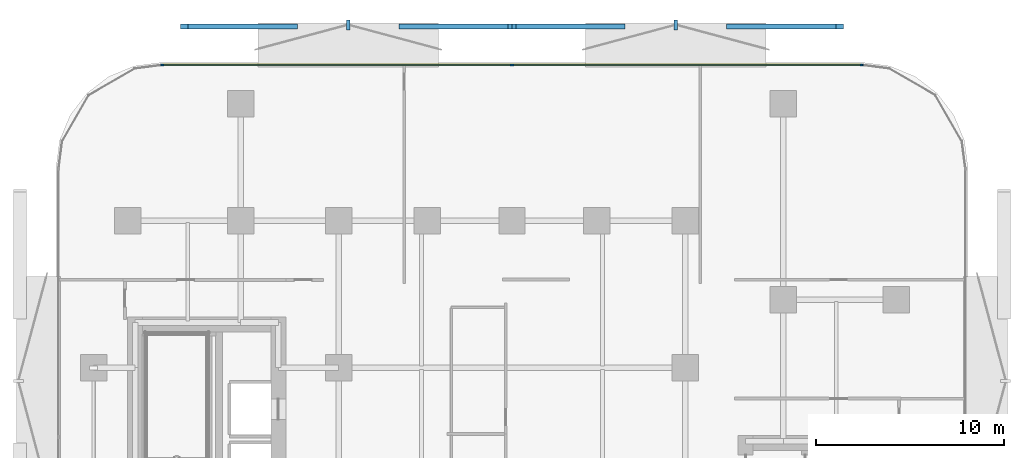
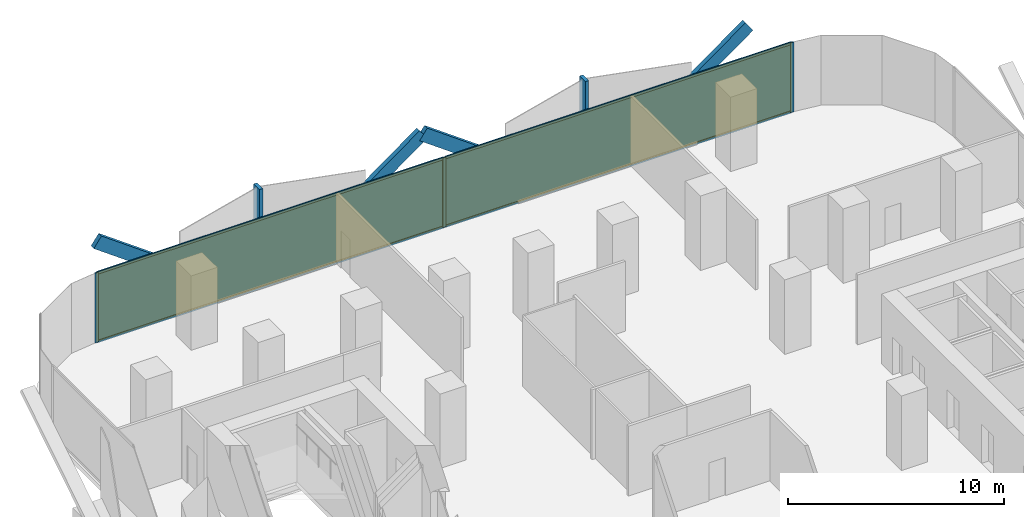
# One storey, part 10 of 15: 13 members, 2 plates, 1 curtain wall.
"""IFC4 building model written with IfcOpenShell, lengths in metres."""

from ifc_helpers import new_model, si_unit, direction, frame, frame_2d, origin, origin_2d, place, context, subcontext, project, spatial, rectangle, extrude, material, layer, layer_set, material_profile, profile_set, type_object, element, aggregate, save


model = new_model("IFC4")

# Units and contexts
model_context = context("Model", 3, precision=1e-05, world=origin(), true_north=direction((0.0, 1.0)))
body_context = subcontext(model_context, "Body", "Model", "MODEL_VIEW")
ifc_project = project(units=[si_unit("LENGTHUNIT", "METRE"), si_unit("AREAUNIT", "SQUARE_METRE"), si_unit("VOLUMEUNIT", "CUBIC_METRE"), si_unit("PLANEANGLEUNIT", "RADIAN"), si_unit("MASSUNIT", "GRAM", prefix="KILO")], contexts=[model_context])

# Member
ifc_material_1 = material(Name="Anodised Bronze Aluminium 6063-T6", Category="aluminium")
ifc_material_profile_1 = material_profile(ifc_material_1, rectangle(XDim=0.260009765625, YDim=0.699951171875, at=origin_2d()))
ifc_profile_set_1 = profile_set([ifc_material_profile_1], Name="Anodised Bronze Aluminium 6063-T6")
member_type_1 = type_object("IfcMemberType", Name="Bronze Diamond Solar-Screen Lattice Rib BDL-700", PredefinedType="MULLION", material=ifc_profile_set_1)
site_placement = place(None, origin())
building_placement = place(site_placement, origin())
storey_placement = place(building_placement, frame((0.0, 0.0, 47.0)))
member_1_placement = place(storey_placement, frame((-5.796875, 28.89990234375, -0.1298828125), z_axis=(0.80979516686, 0.0, 0.58671269607), x_axis=(0.0, 1.0, 0.0)))
member_1 = element("IfcMember", 1, at=member_1_placement, type_object=member_type_1, Name="L11 Bronze Diamond Solar Screen Lattice Rib 45A", PredefinedType="MULLION", context=body_context, shape_type="SweptSolid", body=[
    extrude(rectangle(XDim=0.260009765625, YDim=0.699951171875, at=origin_2d()), origin(), (0.0, 0.0, 1.0), 7.158447265625),
])

member_2_placement = place(storey_placement, frame((-11.593994140625, 28.89990234375, -0.1298828125), z_axis=(-0.80979516686, 0.0, 0.58671269607), x_axis=(0.0, -1.0, 0.0)))
member_2 = element("IfcMember", 2, at=member_2_placement, type_object=member_type_1, Name="L11 Bronze Diamond Solar Screen Lattice Rib 45B", PredefinedType="MULLION", context=body_context, shape_type="SweptSolid", body=[
    extrude(rectangle(XDim=0.260009765625, YDim=0.699951171875, at=origin_2d()), origin(), (0.0, 0.0, 1.0), 7.158447265625),
])

member_3_placement = place(storey_placement, frame((11.593994140625, 28.89990234375, -0.1298828125), z_axis=(0.80979516686, 0.0, 0.58671269607), x_axis=(0.0, 1.0, 0.0)))
member_3 = element("IfcMember", 3, at=member_3_placement, type_object=member_type_1, Name="L11 Bronze Diamond Solar Screen Lattice Rib 46A", PredefinedType="MULLION", context=body_context, shape_type="SweptSolid", body=[
    extrude(rectangle(XDim=0.260009765625, YDim=0.699951171875, at=origin_2d()), origin(), (0.0, 0.0, 1.0), 7.158447265625),
])

member_4_placement = place(storey_placement, frame((5.796875, 28.89990234375, -0.1298828125), z_axis=(-0.80979516686, 0.0, 0.58671269607), x_axis=(0.0, -1.0, 0.0)))
member_4 = element("IfcMember", 4, at=member_4_placement, type_object=member_type_1, Name="L11 Bronze Diamond Solar Screen Lattice Rib 46B", PredefinedType="MULLION", context=body_context, shape_type="SweptSolid", body=[
    extrude(rectangle(XDim=0.260009765625, YDim=0.699951171875, at=origin_2d()), origin(), (0.0, 0.0, 1.0), 7.158447265625),
])

ifc_material_2 = material(Name="Anodised Bronze Aluminium 6063-T6", Category="aluminium")
ifc_material_profile_2 = material_profile(ifc_material_2, rectangle(XDim=0.179931640625, YDim=0.5400390625, at=origin_2d()))
ifc_profile_set_2 = profile_set([ifc_material_profile_2], Name="Anodised Bronze Aluminium 6063-T6")
member_type_2 = type_object("IfcMemberType", Name="Bronze Solar-Screen Vertical Fold Fin BSF-540", PredefinedType="MULLION", material=ifc_profile_set_2)
member_5_placement = place(storey_placement, frame((-8.6953125, 28.97998046875, -0.1298828125), z_axis=(0.0, 0.0, 1.0), x_axis=(1.0, 0.0, 0.0)))
member_5 = element("IfcMember", 5, at=member_5_placement, type_object=member_type_2, Name="L11 Bronze Solar Screen Vertical Fin 45", PredefinedType="MULLION", context=body_context, shape_type="SweptSolid", body=[
    extrude(rectangle(XDim=0.179931640625, YDim=0.5400390625, at=origin_2d()), origin(), (0.0, 0.0, 1.0), 4.199951171875),
])

member_6_placement = place(storey_placement, frame((8.6953125, 28.97998046875, -0.1298828125), z_axis=(0.0, 0.0, 1.0), x_axis=(1.0, 0.0, 0.0)))
member_6 = element("IfcMember", 6, at=member_6_placement, type_object=member_type_2, Name="L11 Bronze Solar Screen Vertical Fin 46", PredefinedType="MULLION", context=body_context, shape_type="SweptSolid", body=[
    extrude(rectangle(XDim=0.179931640625, YDim=0.5400390625, at=origin_2d()), origin(), (0.0, 0.0, 1.0), 4.199951171875),
])

ifc_material_3 = material(Name="Anodised Bronze Aluminium 6063-T6", Category="aluminium")
ifc_material_profile_3 = material_profile(ifc_material_3, rectangle(XDim=0.06494140625, YDim=0.179931640625, at=origin_2d()))
ifc_profile_set_3 = profile_set([ifc_material_profile_3], Name="Anodised Bronze Aluminium 6063-T6")
member_type_3 = type_object("IfcMemberType", Name="CW-Z1 Mullion 65x180", PredefinedType="MULLION", material=ifc_profile_set_3)
member_7_placement = place(storey_placement, frame((-18.558349609375, 26.860107421875, 0.0), z_axis=(0.0, 0.0, 1.0), x_axis=(0.0, 1.0, 0.0)))
member_7 = element("IfcMember", 7, at=member_7_placement, type_object=member_type_3, Name="CW-Z1 mullion 1", PredefinedType="MULLION", context=body_context, shape_type="SweptSolid", body=[
    extrude(rectangle(XDim=0.06494140625, YDim=0.179931640625, at=origin_2d()), origin(), (0.0, 0.0, 1.0), 3.93994140625),
])

member_8_placement = place(storey_placement, frame((0.0, 26.860107421875, 0.0), z_axis=(0.0, 0.0, 1.0), x_axis=(0.0, 1.0, 0.0)))
member_8 = element("IfcMember", 8, at=member_8_placement, type_object=member_type_3, Name="CW-Z1 mullion 2", PredefinedType="MULLION", context=body_context, shape_type="SweptSolid", body=[
    extrude(rectangle(XDim=0.06494140625, YDim=0.179931640625, at=origin_2d()), origin(), (0.0, 0.0, 1.0), 3.93994140625),
])

member_9_placement = place(storey_placement, frame((18.558349609375, 26.860107421875, 0.0), z_axis=(0.0, 0.0, 1.0), x_axis=(0.0, 1.0, 0.0)))
member_9 = element("IfcMember", 9, at=member_9_placement, type_object=member_type_3, Name="CW-Z1 mullion 3", PredefinedType="MULLION", context=body_context, shape_type="SweptSolid", body=[
    extrude(rectangle(XDim=0.06494140625, YDim=0.179931640625, at=origin_2d()), origin(), (0.0, 0.0, 1.0), 3.93994140625),
])

ifc_material_4 = material(Name="Anodised Bronze Aluminium 6063-T6", Category="aluminium")
ifc_material_profile_4 = material_profile(ifc_material_4, rectangle(XDim=0.06494140625, YDim=0.139892578125, at=origin_2d()))
ifc_profile_set_4 = profile_set([ifc_material_profile_4], Name="Anodised Bronze Aluminium 6063-T6")
member_type_4 = type_object("IfcMemberType", Name="CW-Z1 Transom 65x140", PredefinedType="USERDEFINED", material=ifc_profile_set_4)
member_10_placement = place(storey_placement, frame((-18.52587890625, 26.860107421875, 0.032470703125), z_axis=(1.0, 0.0, 0.0), x_axis=(0.0, 1.0, 0.0)))
member_10 = element("IfcMember", 10, at=member_10_placement, type_object=member_type_4, Name="CW-Z1 transom 1.1", ObjectType="TRANSOM", PredefinedType="USERDEFINED", context=body_context, shape_type="SweptSolid", body=[
    extrude(rectangle(XDim=0.06494140625, YDim=0.139892578125, at=origin_2d()), origin(), (0.0, 0.0, 1.0), 18.493408203125),
])

member_11_placement = place(storey_placement, frame((-18.52587890625, 26.860107421875, 3.907470703125), z_axis=(1.0, 0.0, 0.0), x_axis=(0.0, 1.0, 0.0)))
member_11 = element("IfcMember", 11, at=member_11_placement, type_object=member_type_4, Name="CW-Z1 transom 1.2", ObjectType="TRANSOM", PredefinedType="USERDEFINED", context=body_context, shape_type="SweptSolid", body=[
    extrude(rectangle(XDim=0.06494140625, YDim=0.139892578125, at=origin_2d()), origin(), (0.0, 0.0, 1.0), 18.493408203125),
])

member_12_placement = place(storey_placement, frame((0.032470703125, 26.860107421875, 0.032470703125), z_axis=(1.0, 0.0, 0.0), x_axis=(0.0, 1.0, 0.0)))
member_12 = element("IfcMember", 12, at=member_12_placement, type_object=member_type_4, Name="CW-Z1 transom 2.1", ObjectType="TRANSOM", PredefinedType="USERDEFINED", context=body_context, shape_type="SweptSolid", body=[
    extrude(rectangle(XDim=0.06494140625, YDim=0.139892578125, at=origin_2d()), origin(), (0.0, 0.0, 1.0), 18.493408203125),
])

member_13_placement = place(storey_placement, frame((0.032470703125, 26.860107421875, 3.907470703125), z_axis=(1.0, 0.0, 0.0), x_axis=(0.0, 1.0, 0.0)))
member_13 = element("IfcMember", 13, at=member_13_placement, type_object=member_type_4, Name="CW-Z1 transom 2.2", ObjectType="TRANSOM", PredefinedType="USERDEFINED", context=body_context, shape_type="SweptSolid", body=[
    extrude(rectangle(XDim=0.06494140625, YDim=0.139892578125, at=origin_2d()), origin(), (0.0, 0.0, 1.0), 18.493408203125),
])

# Plate
ifc_material_5 = material(Name="Low-E Solar Control Laminated Glass", Category="glass")
ifc_layer_1 = layer(ifc_material_5, 0.028076171875, Name="Low-E Solar Control Laminated Glass")
ifc_layer_set_1 = layer_set([ifc_layer_1], Name="Low-E Solar Control Laminated Glass")
plate_type = type_object("IfcPlateType", Name="CW-Z1 Low-E Double Glazed Panel 28mm", PredefinedType="CURTAIN_PANEL", material=ifc_layer_set_1)
plate_1_placement = place(storey_placement, frame((-9.279052734375, 26.860107421875, 0.06494140625), z_axis=(0.0, 0.0, 1.0), x_axis=(1.0, 0.0, 0.0)))
plate_1 = element("IfcPlate", 14, at=plate_1_placement, type_object=plate_type, Name="CW-Z1 panel 1.1", PredefinedType="CURTAIN_PANEL", context=body_context, shape_type="SweptSolid", body=[
    extrude(rectangle(XDim=18.493408203125, YDim=0.028076171875, at=origin_2d()), origin(), (0.0, 0.0, 1.0), 3.81005859375),
])

plate_2_placement = place(storey_placement, frame((9.279052734375, 26.860107421875, 0.06494140625), z_axis=(0.0, 0.0, 1.0), x_axis=(1.0, 0.0, 0.0)))
plate_2 = element("IfcPlate", 15, at=plate_2_placement, type_object=plate_type, Name="CW-Z1 panel 2.1", PredefinedType="CURTAIN_PANEL", context=body_context, shape_type="SweptSolid", body=[
    extrude(rectangle(XDim=18.493408203125, YDim=0.028076171875, at=origin_2d()), origin(), (0.0, 0.0, 1.0), 3.81005859375),
])

# Site, building, storey
site = spatial("IfcSite", under=ifc_project, at=site_placement, CompositionType="ELEMENT")
building = spatial("IfcBuilding", under=site, at=building_placement, Name="Khairoan Windgate Tower", CompositionType="ELEMENT")
storey = spatial("IfcBuildingStorey", under=building, at=storey_placement, Name="L11", CompositionType="ELEMENT", Elevation=47.0)

# Curtain wall
ifc_material_6 = material(Name="Anodised Bronze Aluminium 6063-T6", Category="aluminium")
ifc_layer_2 = layer(ifc_material_6, 0.179931640625, Name="Anodised Bronze Aluminium 6063-T6")
ifc_layer_set_2 = layer_set([ifc_layer_2], Name="Anodised Bronze Aluminium 6063-T6")
curtain_wall_type = type_object("IfcCurtainWallType", Name="Low-Rise Office Unitised Curtain Wall CW-Z1", PredefinedType="NOTDEFINED", material=ifc_layer_set_2)
curtain_wall_placement = place(storey_placement, frame((-18.5908203125, 26.860107421875, 0.0), z_axis=(0.0, 0.0, 1.0), x_axis=(1.0, 0.0, 0.0)))
curtain_wall = element("IfcCurtainWall", 16, at=curtain_wall_placement, inside=storey, type_object=curtain_wall_type, Name="L11 Unitised Curtain Wall 11", PredefinedType="NOTDEFINED", context=body_context, shape_type="SweptSolid", body=[
    extrude(rectangle(XDim=37.181640625, YDim=0.010009765625, at=frame_2d((18.5908203125, 0.0))), origin(), (0.0, 0.0, 1.0), 3.93994140625),
])

aggregate(curtain_wall, [member_7, member_8, member_9, member_10, member_11, plate_1, member_12, member_13, plate_2, member_1, member_2, member_5, member_3, member_4, member_6])

save(model, "model.ifc")
